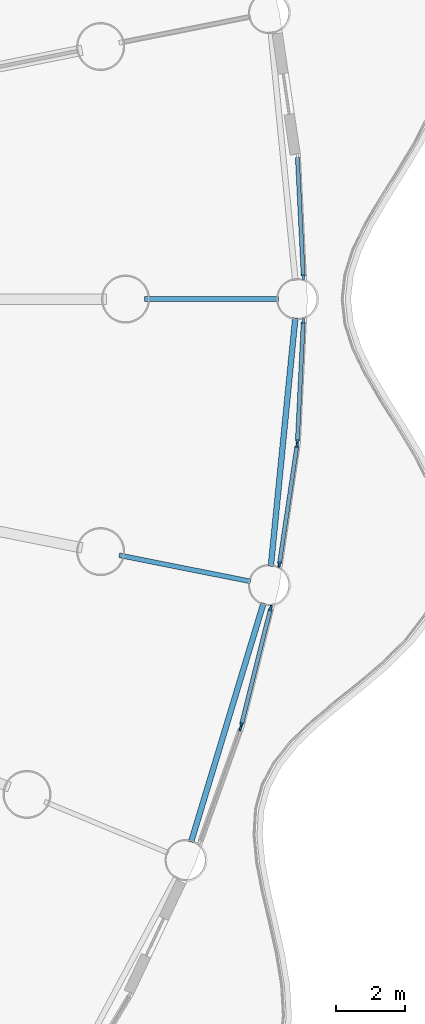
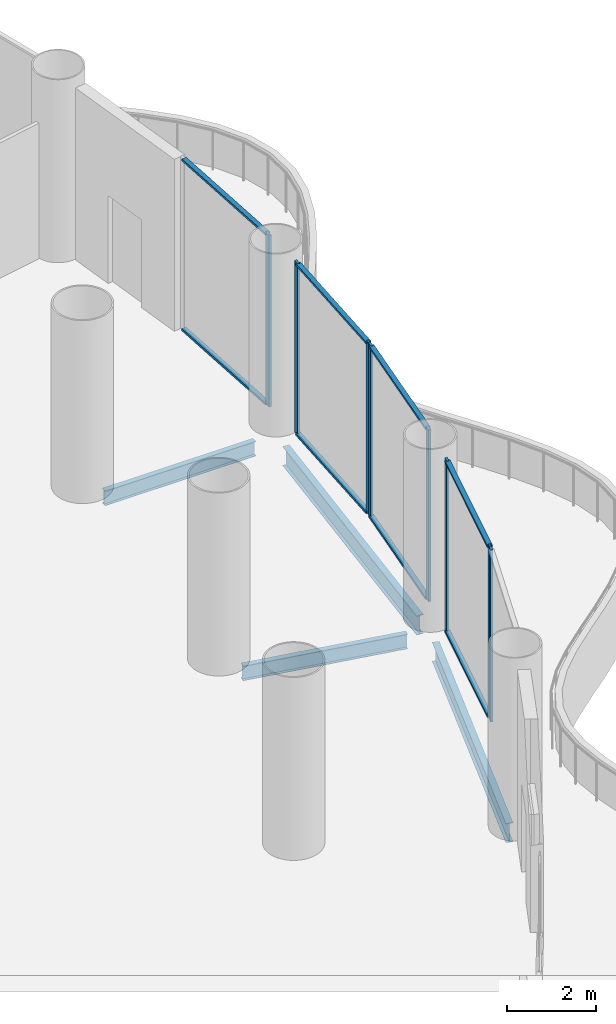
# One storey, part 12 of 35: 16 members, 4 beams, 5 elements without a shape of their own.
"""IFC4 building model written with IfcOpenShell, lengths in metres."""

from ifc_helpers import new_model, si_unit, direction, frame, origin, origin_2d, place, context, subcontext, project, spatial, rectangle, i_section, extrude, material, material_profile, profile_set, type_object, element, aggregate, save


model = new_model("IFC4")

# Units and contexts
model_context = context("Model", 3, precision=1e-05, world=origin(), true_north=direction((0.0, 1.0)))
body_context = subcontext(model_context, "Body", "Model", "MODEL_VIEW")
ifc_project = project(units=[si_unit("LENGTHUNIT", "METRE"), si_unit("AREAUNIT", "SQUARE_METRE"), si_unit("VOLUMEUNIT", "CUBIC_METRE"), si_unit("PLANEANGLEUNIT", "RADIAN"), si_unit("MASSUNIT", "GRAM", prefix="KILO")], contexts=[model_context])

# Site, building, storey
site_placement = place(None, origin())
site = spatial("IfcSite", under=ifc_project, at=site_placement, CompositionType="ELEMENT")
building_placement = place(site_placement, origin())
building = spatial("IfcBuilding", under=site, at=building_placement, Name="Corvane Civic Tower", CompositionType="ELEMENT")
storey_placement = place(building_placement, frame((0.0, 0.0, 22.0)))
storey = spatial("IfcBuildingStorey", under=building, at=storey_placement, Name="L04", CompositionType="ELEMENT", Elevation=22.0)

# Beams
ifc_material_1 = material(Name="Steel ASTM A992 Gr 50", Category="steel")
ifc_material_profile_1 = material_profile(ifc_material_1, i_section(OverallWidth=0.165771484375, OverallDepth=0.5283203125, WebThickness=0.009765625, FlangeThickness=0.013671875, at=origin_2d()), Name="W21X50")
ifc_profile_set_1 = profile_set([ifc_material_profile_1], Name="Steel ASTM A992 Gr 50")
beam_type_1 = type_object("IfcBeamType", Name="EDGE BEAM W21X50", PredefinedType="BEAM", material=ifc_profile_set_1)
for number, where, z_axis, x_axis, name in (
    (1, (42.64599609375, -0.54736328125, -0.564208984375), (-0.097984225478, -0.995187967953, 0.0), (0.995187967953, -0.097984225478, 0.0), "BM-L04-E09"),
    (2, (41.719970703125, -8.856689453125, -0.564208984375), (-0.290291633127, -0.956938225664, 0.0), (0.956938225664, -0.290291633127, 0.0), "BM-L04-E10"),
):
    element("IfcBeam", number, at=place(storey_placement, frame(where, z_axis=z_axis, x_axis=x_axis)), inside=storey, type_object=beam_type_1, Name=name, PredefinedType="BEAM", context=body_context, shape_type="SweptSolid", body=[
        extrude(i_section(OverallWidth=0.165771484375, OverallDepth=0.5283203125, WebThickness=0.009765625, FlangeThickness=0.013671875, at=origin_2d()), origin(), (0.0, 0.0, 1.0), 7.2705078125),
    ])
ifc_material_2 = material(Name="Steel ASTM A992 Gr 50", Category="steel")
ifc_material_profile_2 = material_profile(ifc_material_2, i_section(OverallWidth=0.140380859375, OverallDepth=0.40380859375, WebThickness=0.007080078125, FlangeThickness=0.01123046875, at=origin_2d()), Name="W16X31")
ifc_profile_set_2 = profile_set([ifc_material_profile_2], Name="Steel ASTM A992 Gr 50")
beam_type_2 = type_object("IfcBeamType", Name="FLOOR GIRDER W16X31", PredefinedType="BEAM", material=ifc_profile_set_2)
for number, where, z_axis, x_axis, name in (
    (3, (38.25, 0.0, -0.501953125), (1.0, 0.0, 0.0), (0.0, 1.0, 0.0), "BM-L04-G09b"),
    (4, (37.51513671875, -7.462158203125, -0.501953125), (0.980777614264, -0.195128858343, 0.0), (0.195128858343, 0.980777614264, 0.0), "BM-L04-G10b"),
):
    element("IfcBeam", number, at=place(storey_placement, frame(where, z_axis=z_axis, x_axis=x_axis)), inside=storey, type_object=beam_type_2, Name=name, PredefinedType="BEAM", context=body_context, shape_type="SweptSolid", body=[
        extrude(i_section(OverallWidth=0.140380859375, OverallDepth=0.40380859375, WebThickness=0.007080078125, FlangeThickness=0.01123046875, at=origin_2d()), origin(), (0.0, 0.0, 1.0), 3.89990234375),
    ])

# Curtain wall, member
ifc_material_3 = material(Name="Aluminium and glass", Category="aluminium")
curtain_wall_type = type_object("IfcCurtainWallType", Name="PODIUM-CW-P-RUN", PredefinedType="NOTDEFINED", material=ifc_material_3)
curtain_wall_1_placement = place(storey_placement, origin())
curtain_wall_1 = element("IfcCurtainWall", 5, at=curtain_wall_1_placement, inside=storey, type_object=curtain_wall_type, Name="PODI run L04-drum-08B", PredefinedType="NOTDEFINED")
ifc_material_4 = material(Name="Anodised aluminium bronze", Category="aluminium")
ifc_material_profile_3 = material_profile(ifc_material_4, rectangle(XDim=0.06005859375, YDim=0.159912109375, at=origin_2d()), Name="AL 60x160")
ifc_profile_set_3 = profile_set([ifc_material_profile_3], Name="Anodised aluminium bronze")
member_type_1 = type_object("IfcMemberType", Name="PODIUM-CWP-MULLION-60x160", PredefinedType="MULLION", material=ifc_profile_set_3)
member_1_placement = place(storey_placement, frame((42.878173828125, 0.644775390625, 0.0), z_axis=(0.0, 0.0, 1.0), x_axis=(0.998796316803, 0.04905015332, 0.0)))
member_1 = element("IfcMember", 6, at=member_1_placement, type_object=member_type_1, Name="CW-P mullion 2", PredefinedType="MULLION", context=body_context, shape_type="SweptSolid", body=[
    extrude(rectangle(XDim=0.06005859375, YDim=0.159912109375, at=origin_2d()), origin(), (0.0, 0.0, 1.0), 4.699951171875),
])

# Curtain wall, members
curtain_wall_2_placement = place(storey_placement, origin())
curtain_wall_2 = element("IfcCurtainWall", 7, at=curtain_wall_2_placement, inside=storey, type_object=curtain_wall_type, Name="PODI run L04-drum-09A", PredefinedType="NOTDEFINED")
member_2_placement = place(storey_placement, frame((42.878173828125, -0.644775390625, 0.0), z_axis=(0.0, 0.0, 1.0), x_axis=(0.998796316803, -0.04905015332, 0.0)))
member_2 = element("IfcMember", 8, at=member_2_placement, type_object=member_type_1, Name="CW-P mullion 1", PredefinedType="MULLION", context=body_context, shape_type="SweptSolid", body=[
    extrude(rectangle(XDim=0.06005859375, YDim=0.159912109375, at=origin_2d()), origin(), (0.0, 0.0, 1.0), 4.699951171875),
])
member_3_placement = place(storey_placement, frame((42.70556640625, -4.16064453125, 0.0), z_axis=(0.0, 0.0, 1.0), x_axis=(0.998796316803, -0.04905015332, 0.0)))
member_3 = element("IfcMember", 9, at=member_3_placement, type_object=member_type_1, Name="CW-P mullion 2", PredefinedType="MULLION", context=body_context, shape_type="SweptSolid", body=[
    extrude(rectangle(XDim=0.06005859375, YDim=0.159912109375, at=origin_2d()), origin(), (0.0, 0.0, 1.0), 4.699951171875),
])

curtain_wall_3_placement = place(storey_placement, origin())
curtain_wall_3 = element("IfcCurtainWall", 10, at=curtain_wall_3_placement, inside=storey, type_object=curtain_wall_type, Name="PODI run L04-drum-09B", PredefinedType="NOTDEFINED")
member_4_placement = place(storey_placement, frame((42.696533203125, -4.2509765625, 0.0), z_axis=(0.0, 0.0, 1.0), x_axis=(0.989178850608, -0.146714694252, 0.0)))
member_4 = element("IfcMember", 11, at=member_4_placement, type_object=member_type_1, Name="CW-P mullion 1", PredefinedType="MULLION", context=body_context, shape_type="SweptSolid", body=[
    extrude(rectangle(XDim=0.06005859375, YDim=0.159912109375, at=origin_2d()), origin(), (0.0, 0.0, 1.0), 4.699951171875),
])
member_5_placement = place(storey_placement, frame((42.18017578125, -7.732666015625, 0.0), z_axis=(0.0, 0.0, 1.0), x_axis=(0.989178850608, -0.146714694252, 0.0)))
member_5 = element("IfcMember", 12, at=member_5_placement, type_object=member_type_1, Name="CW-P mullion 2", PredefinedType="MULLION", context=body_context, shape_type="SweptSolid", body=[
    extrude(rectangle(XDim=0.06005859375, YDim=0.159912109375, at=origin_2d()), origin(), (0.0, 0.0, 1.0), 4.699951171875),
])

curtain_wall_4_placement = place(storey_placement, origin())
curtain_wall_4 = element("IfcCurtainWall", 13, at=curtain_wall_4_placement, inside=storey, type_object=curtain_wall_type, Name="PODI run L04-drum-10A", PredefinedType="NOTDEFINED")
member_6_placement = place(storey_placement, frame((41.9287109375, -8.99755859375, 0.0), z_axis=(0.0, 0.0, 1.0), x_axis=(0.970024070659, -0.243008852393, 0.0)))
member_6 = element("IfcMember", 14, at=member_6_placement, type_object=member_type_1, Name="CW-P mullion 1", PredefinedType="MULLION", context=body_context, shape_type="SweptSolid", body=[
    extrude(rectangle(XDim=0.06005859375, YDim=0.159912109375, at=origin_2d()), origin(), (0.0, 0.0, 1.0), 4.699951171875),
])
member_7_placement = place(storey_placement, frame((41.0732421875, -12.411865234375, 0.0), z_axis=(0.0, 0.0, 1.0), x_axis=(0.970024070659, -0.243008852393, 0.0)))
member_7 = element("IfcMember", 15, at=member_7_placement, type_object=member_type_1, Name="CW-P mullion 2", PredefinedType="MULLION", context=body_context, shape_type="SweptSolid", body=[
    extrude(rectangle(XDim=0.06005859375, YDim=0.159912109375, at=origin_2d()), origin(), (0.0, 0.0, 1.0), 4.699951171875),
])

# Curtain wall, member
curtain_wall_5_placement = place(storey_placement, origin())
curtain_wall_5 = element("IfcCurtainWall", 16, at=curtain_wall_5_placement, inside=storey, type_object=curtain_wall_type, Name="PODI run L04-drum-10B", PredefinedType="NOTDEFINED")
member_8_placement = place(storey_placement, frame((41.046875, -12.4990234375, 0.0), z_axis=(0.0, 0.0, 1.0), x_axis=(0.941533802561, -0.336918534123, 0.0)))
member_8 = element("IfcMember", 17, at=member_8_placement, type_object=member_type_1, Name="CW-P mullion 1", PredefinedType="MULLION", context=body_context, shape_type="SweptSolid", body=[
    extrude(rectangle(XDim=0.06005859375, YDim=0.159912109375, at=origin_2d()), origin(), (0.0, 0.0, 1.0), 4.699951171875),
])
aggregate(curtain_wall_5, [member_8])

# Member
ifc_material_5 = material(Name="Anodised aluminium bronze", Category="aluminium")
ifc_material_profile_4 = material_profile(ifc_material_5, rectangle(XDim=0.1201171875, YDim=0.06005859375, at=origin_2d()), Name="AL 120x60")
ifc_profile_set_4 = profile_set([ifc_material_profile_4], Name="Anodised aluminium bronze")
member_type_2 = type_object("IfcMemberType", Name="PODIUM-CWP-TRANSOM-60x120", PredefinedType="USERDEFINED", material=ifc_profile_set_4)
member_9_placement = place(storey_placement, frame((42.70703125, 4.130615234375, 0.030029296875), z_axis=(0.049040182301, -0.998796806423, 0.0), x_axis=(0.998796806423, 0.049040182301, 0.0)))
member_9 = element("IfcMember", 18, at=member_9_placement, type_object=member_type_2, Name="CW-P transom 1.1", ObjectType="TRANSOM", PredefinedType="USERDEFINED", context=body_context, shape_type="SweptSolid", body=[
    extrude(rectangle(XDim=0.1201171875, YDim=0.06005859375, at=origin_2d()), origin(), (0.0, 0.0, 1.0), 3.4599609375),
])

member_10_placement = place(storey_placement, frame((42.70703125, 4.130615234375, 4.669921875), z_axis=(0.049040182301, -0.998796806423, 0.0), x_axis=(0.998796806423, 0.049040182301, 0.0)))
member_10 = element("IfcMember", 19, at=member_10_placement, type_object=member_type_2, Name="CW-P transom 1.2", ObjectType="TRANSOM", PredefinedType="USERDEFINED", context=body_context, shape_type="SweptSolid", body=[
    extrude(rectangle(XDim=0.1201171875, YDim=0.06005859375, at=origin_2d()), origin(), (0.0, 0.0, 1.0), 3.4599609375),
])

aggregate(curtain_wall_1, [member_1, member_9, member_10])

member_11_placement = place(storey_placement, frame((42.876708984375, -0.6748046875, 0.030029296875), z_axis=(-0.049040182301, -0.998796806423, 0.0), x_axis=(0.998796806423, -0.049040182301, 0.0)))
member_11 = element("IfcMember", 20, at=member_11_placement, type_object=member_type_2, Name="CW-P transom 1.1", ObjectType="TRANSOM", PredefinedType="USERDEFINED", context=body_context, shape_type="SweptSolid", body=[
    extrude(rectangle(XDim=0.1201171875, YDim=0.06005859375, at=origin_2d()), origin(), (0.0, 0.0, 1.0), 3.4599609375),
])

member_12_placement = place(storey_placement, frame((42.876708984375, -0.6748046875, 4.669921875), z_axis=(-0.049040182301, -0.998796806423, 0.0), x_axis=(0.998796806423, -0.049040182301, 0.0)))
member_12 = element("IfcMember", 21, at=member_12_placement, type_object=member_type_2, Name="CW-P transom 1.2", ObjectType="TRANSOM", PredefinedType="USERDEFINED", context=body_context, shape_type="SweptSolid", body=[
    extrude(rectangle(XDim=0.1201171875, YDim=0.06005859375, at=origin_2d()), origin(), (0.0, 0.0, 1.0), 3.4599609375),
])

aggregate(curtain_wall_2, [member_2, member_3, member_11, member_12])

member_13_placement = place(storey_placement, frame((42.692138671875, -4.28076171875, 0.030029296875), z_axis=(-0.146704660039, -0.989180338828, 0.0), x_axis=(0.989180338828, -0.146704660039, 0.0)))
member_13 = element("IfcMember", 22, at=member_13_placement, type_object=member_type_2, Name="CW-P transom 1.1", ObjectType="TRANSOM", PredefinedType="USERDEFINED", context=body_context, shape_type="SweptSolid", body=[
    extrude(rectangle(XDim=0.1201171875, YDim=0.06005859375, at=origin_2d()), origin(), (0.0, 0.0, 1.0), 3.459716796875),
])

member_14_placement = place(storey_placement, frame((42.692138671875, -4.28076171875, 4.669921875), z_axis=(-0.146704660039, -0.989180338828, 0.0), x_axis=(0.989180338828, -0.146704660039, 0.0)))
member_14 = element("IfcMember", 23, at=member_14_placement, type_object=member_type_2, Name="CW-P transom 1.2", ObjectType="TRANSOM", PredefinedType="USERDEFINED", context=body_context, shape_type="SweptSolid", body=[
    extrude(rectangle(XDim=0.1201171875, YDim=0.06005859375, at=origin_2d()), origin(), (0.0, 0.0, 1.0), 3.459716796875),
])

aggregate(curtain_wall_3, [member_4, member_5, member_13, member_14])

member_15_placement = place(storey_placement, frame((41.92138671875, -9.026611328125, 0.030029296875), z_axis=(-0.243017080124, -0.970022009425, 0.0), x_axis=(0.970022009425, -0.243017080124, 0.0)))
member_15 = element("IfcMember", 24, at=member_15_placement, type_object=member_type_2, Name="CW-P transom 1.1", ObjectType="TRANSOM", PredefinedType="USERDEFINED", context=body_context, shape_type="SweptSolid", body=[
    extrude(rectangle(XDim=0.1201171875, YDim=0.06005859375, at=origin_2d()), origin(), (0.0, 0.0, 1.0), 3.4599609375),
])

member_16_placement = place(storey_placement, frame((41.92138671875, -9.026611328125, 4.669921875), z_axis=(-0.243017080124, -0.970022009425, 0.0), x_axis=(0.970022009425, -0.243017080124, 0.0)))
member_16 = element("IfcMember", 25, at=member_16_placement, type_object=member_type_2, Name="CW-P transom 1.2", ObjectType="TRANSOM", PredefinedType="USERDEFINED", context=body_context, shape_type="SweptSolid", body=[
    extrude(rectangle(XDim=0.1201171875, YDim=0.06005859375, at=origin_2d()), origin(), (0.0, 0.0, 1.0), 3.4599609375),
])

aggregate(curtain_wall_4, [member_6, member_7, member_15, member_16])

save(model, "model.ifc")
